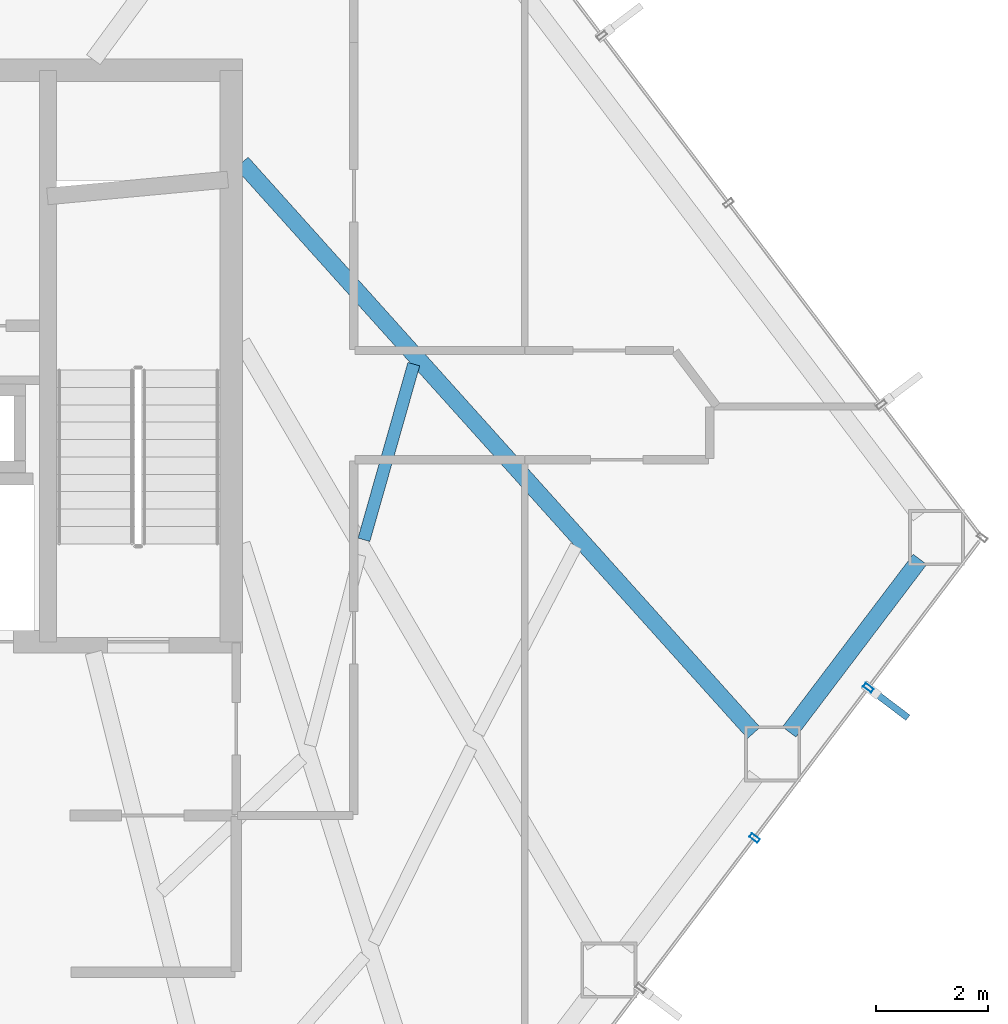
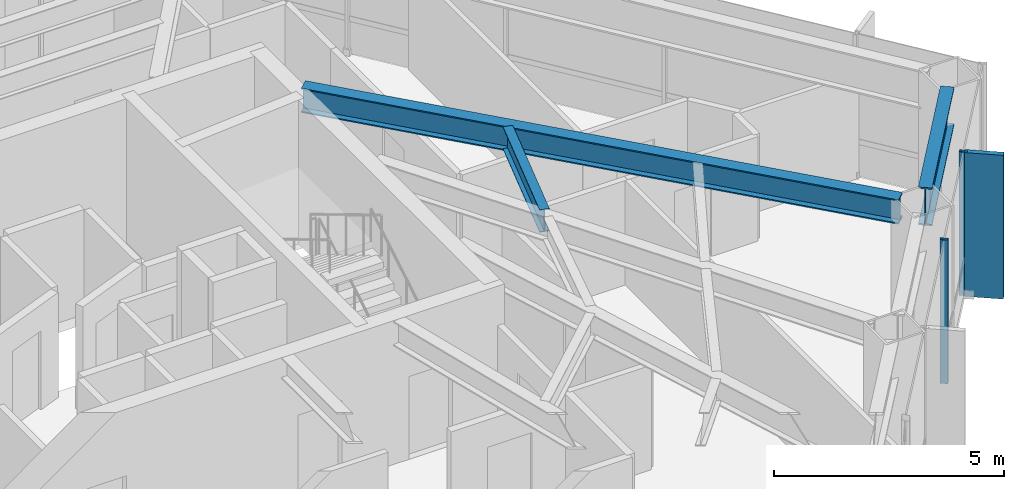
# One storey, part 18 of 25: 3 beams, 3 members, 1 element without a shape of its own.
"""IFC4 building model written with IfcOpenShell, lengths in metres."""

from ifc_helpers import new_model, si_unit, direction, frame, origin, origin_2d, place, context, subcontext, project, spatial, rectangle, hollow_rectangle, i_section, extrude, material, layer, layer_set, material_profile, profile_set, type_object, element, aggregate, save


model = new_model("IFC4")

# Units and contexts
model_context = context("Model", 3, precision=1e-05, world=origin(), true_north=direction((0.0, 1.0)))
body_context = subcontext(model_context, "Body", "Model", "MODEL_VIEW")
ifc_project = project(units=[si_unit("LENGTHUNIT", "METRE"), si_unit("AREAUNIT", "SQUARE_METRE"), si_unit("VOLUMEUNIT", "CUBIC_METRE"), si_unit("PLANEANGLEUNIT", "RADIAN"), si_unit("MASSUNIT", "GRAM", prefix="KILO")], contexts=[model_context])

# Site, building, storey
site_placement = place(None, origin())
site = spatial("IfcSite", under=ifc_project, at=site_placement, CompositionType="ELEMENT")
building_placement = place(site_placement, origin())
building = spatial("IfcBuilding", under=site, at=building_placement, Name="Zarrinselat Tower", CompositionType="ELEMENT")
storey_placement = place(building_placement, frame((0.0, 0.0, 39.780029296875)))
storey = spatial("IfcBuildingStorey", under=building, at=storey_placement, Name="L09", CompositionType="ELEMENT", Elevation=39.780029296875)

# Beams
ifc_material_1 = material(Name="Steel S355J2", Category="steel")
ifc_material_profile_1 = material_profile(ifc_material_1, i_section(OverallWidth=0.300048828125, OverallDepth=0.64990234375, WebThickness=0.01611328125, FlangeThickness=0.031005859375, at=origin_2d()), Name="HEB 650")
ifc_profile_set_1 = profile_set([ifc_material_profile_1], Name="Steel S355J2")
beam_type_1 = type_object("IfcBeamType", Name="BM-HEB650", PredefinedType="BEAM", material=ifc_profile_set_1)
beam_1_placement = place(storey_placement, frame((48.449951171875, 41.800048828125, 3.494873046875), z_axis=(0.668172366334, -0.744006511307, 0.0), x_axis=(0.744006511307, 0.668172366334, 0.0)))
element("IfcBeam", 1, at=beam_1_placement, inside=storey, type_object=beam_type_1, Name="L09 Radial Primary Girder RG14", PredefinedType="BEAM", context=body_context, shape_type="SweptSolid", body=[
    extrude(i_section(OverallWidth=0.300048828125, OverallDepth=0.64990234375, WebThickness=0.01611328125, FlangeThickness=0.031005859375, at=origin_2d()), origin(), (0.0, 0.0, 1.0), 13.676025390625),
])
ifc_material_2 = material(Name="Steel S460M", Category="steel")
ifc_material_profile_2 = material_profile(ifc_material_2, i_section(OverallWidth=0.302001953125, OverallDepth=1.008056640625, WebThickness=0.02099609375, FlangeThickness=0.0400390625, at=origin_2d()), Name="HEM 1000")
ifc_profile_set_2 = profile_set([ifc_material_profile_2], Name="Steel S460M")
beam_type_2 = type_object("IfcBeamType", Name="BM-HEM1000", PredefinedType="BEAM", material=ifc_profile_set_2)
beam_2_placement = place(storey_placement, frame((58.218017578125, 31.640380859375, 3.31591796875), z_axis=(0.603852824523, 0.79709583258, 0.0), x_axis=(-0.79709583258, 0.603852824523, 0.0)))
element("IfcBeam", 2, at=beam_2_placement, inside=storey, type_object=beam_type_2, Name="L09 Perimeter Spandrel Girder SP14", PredefinedType="BEAM", context=body_context, shape_type="SweptSolid", body=[
    extrude(i_section(OverallWidth=0.302001953125, OverallDepth=1.008056640625, WebThickness=0.02099609375, FlangeThickness=0.0400390625, at=origin_2d()), origin(), (0.0, 0.0, 1.0), 3.865966796875),
])
ifc_material_3 = material(Name="Steel S355J2", Category="steel")
ifc_material_profile_3 = material_profile(ifc_material_3, i_section(OverallWidth=0.219970703125, OverallDepth=0.60009765625, WebThickness=0.011962890625, FlangeThickness=0.01904296875, at=origin_2d()), Name="IPE 600")
ifc_profile_set_3 = profile_set([ifc_material_profile_3], Name="Steel S355J2")
beam_type_3 = type_object("IfcBeamType", Name="BM-IPE600", PredefinedType="JOIST", material=ifc_profile_set_3)
beam_3_placement = place(storey_placement, frame((50.62890625, 35.0712890625, 3.52001953125), z_axis=(0.27303835726, 0.962003147326, 0.0), x_axis=(-0.962003147326, 0.27303835726, 0.0)))
element("IfcBeam", 3, at=beam_3_placement, inside=storey, type_object=beam_type_3, Name="L09 Composite Floor Joist 5-2", PredefinedType="JOIST", context=body_context, shape_type="SweptSolid", body=[
    extrude(i_section(OverallWidth=0.219970703125, OverallDepth=0.60009765625, WebThickness=0.011962890625, FlangeThickness=0.01904296875, at=origin_2d()), origin(), (0.0, 0.0, 1.0), 3.25830078125),
])

# Curtain wall, members
ifc_material_4 = material(Name="Extruded Aluminium Alloy EN AW-6063 T6", Category="aluminium")
ifc_layer = layer(ifc_material_4, 0.18505859375)
ifc_layer_set = layer_set([ifc_layer], Name="Extruded Aluminium Alloy EN AW-6063 T6")
curtain_wall_type = type_object("IfcCurtainWallType", Name="CWS-OFF", PredefinedType="NOTDEFINED", material=ifc_layer_set)
curtain_wall_placement = place(storey_placement, origin())
curtain_wall = element("IfcCurtainWall", 4, at=curtain_wall_placement, inside=storey, type_object=curtain_wall_type, Name="L09 Unitised Curtain Wall CW-L09-E05", PredefinedType="NOTDEFINED")
ifc_material_5 = material(Name="Extruded Aluminium Alloy EN AW-6063 T6", Category="aluminium")
ifc_material_profile_4 = material_profile(ifc_material_5, hollow_rectangle(XDim=0.080078125, YDim=0.179931640625, WallThickness=0.0048828125, at=origin_2d()), Name="RHS 180x80x5")
ifc_profile_set_4 = profile_set([ifc_material_profile_4], Name="Extruded Aluminium Alloy EN AW-6063 T6")
member_type_1 = type_object("IfcMemberType", Name="MEM-CW-MUL", PredefinedType="MULLION", material=ifc_profile_set_4)
member_1_placement = place(storey_placement, frame((57.599853515625, 29.748291015625, 0.0), z_axis=(0.0, 0.0, 1.0), x_axis=(0.603859118859, 0.797091064164, 0.0)))
member_1 = element("IfcMember", 5, at=member_1_placement, type_object=member_type_1, Name="CW-L09-E05 Mullion 4", PredefinedType="MULLION", context=body_context, shape_type="SweptSolid", body=[
    extrude(hollow_rectangle(XDim=0.080078125, YDim=0.179931640625, WallThickness=0.0048828125, at=origin_2d()), origin(), (0.0, 0.0, 1.0), 3.820068359375),
])
member_2_placement = place(storey_placement, frame((59.63134765625, 32.4296875, 0.0), z_axis=(0.0, 0.0, 1.0), x_axis=(0.603859118859, 0.797091064164, 0.0)))
member_2 = element("IfcMember", 6, at=member_2_placement, type_object=member_type_1, Name="CW-L09-E05 Mullion 5", PredefinedType="MULLION", context=body_context, shape_type="SweptSolid", body=[
    extrude(hollow_rectangle(XDim=0.080078125, YDim=0.179931640625, WallThickness=0.0048828125, at=origin_2d()), origin(), (0.0, 0.0, 1.0), 3.820068359375),
])
ifc_material_6 = material(Name="Honed Cream Travertine Stone", Category="masonry")
ifc_material_profile_5 = material_profile(ifc_material_6, rectangle(XDim=0.1201171875, YDim=0.85009765625, at=origin_2d()), Name="FIN 850x120")
ifc_profile_set_5 = profile_set([ifc_material_profile_5], Name="Honed Cream Travertine Stone")
member_type_2 = type_object("IfcMemberType", Name="MEM-STONE-FIN", PredefinedType="USERDEFINED", material=ifc_profile_set_5)
member_3_placement = place(storey_placement, frame((59.998046875, 32.15185546875, 0.0), z_axis=(0.0, 0.0, 1.0), x_axis=(-0.603859118859, -0.797091064164, 0.0)))
member_3 = element("IfcMember", 7, at=member_3_placement, type_object=member_type_2, Name="L09 Stone Shading Fin CW-L09-E05-05", ObjectType="FIN", PredefinedType="USERDEFINED", context=body_context, shape_type="SweptSolid", body=[
    extrude(rectangle(XDim=0.1201171875, YDim=0.85009765625, at=origin_2d()), origin(), (0.0, 0.0, 1.0), 3.820068359375),
])
aggregate(curtain_wall, [member_1, member_2, member_3])

save(model, "model.ifc")
